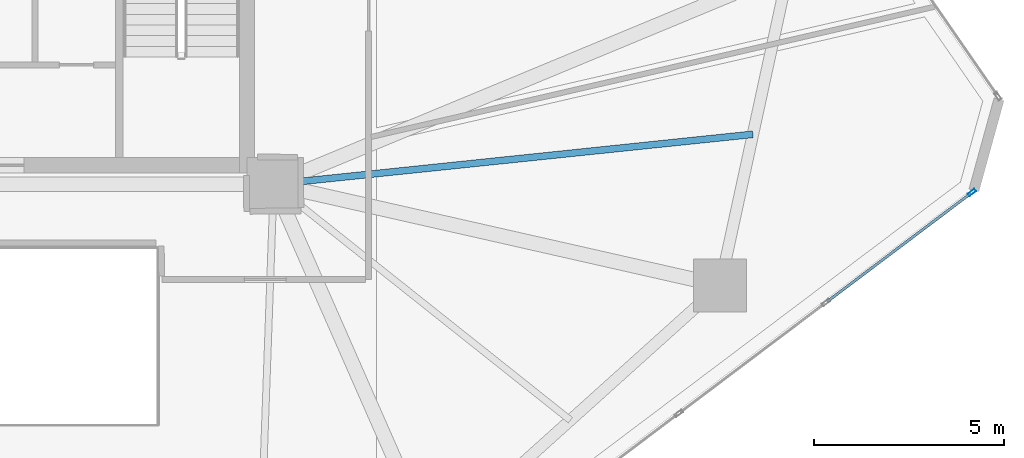
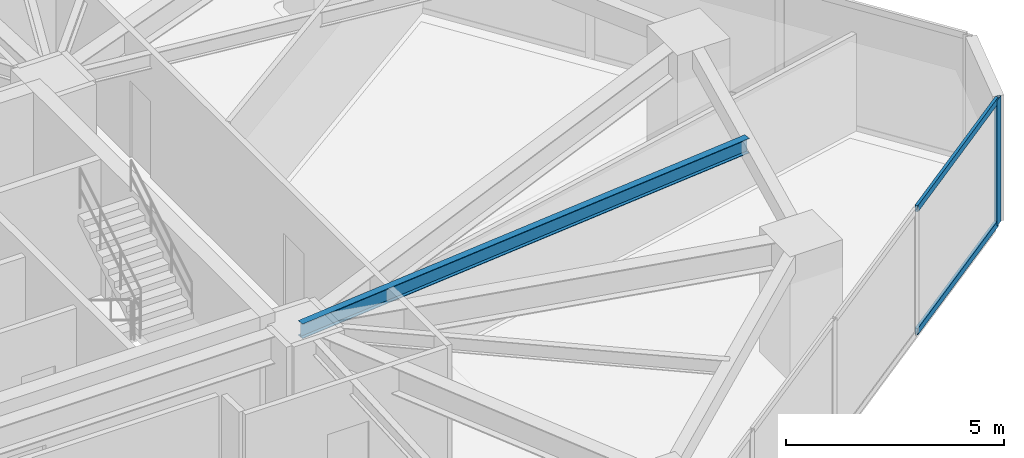
# One storey, part 10 of 23: 3 members, 1 beam, 1 element without a shape of its own.
"""IFC4 building model written with IfcOpenShell, lengths in metres."""

from ifc_helpers import new_model, si_unit, direction, frame, origin, origin_2d, place, context, subcontext, project, spatial, hollow_rectangle, i_section, extrude, source, transform, mapped, material, layer, layer_set, material_profile, profile_set, type_object, type_shapes, element, aggregate, save


model = new_model("IFC4")

# Units and contexts
model_context = context("Model", 3, precision=1e-05, world=origin(), true_north=direction((0.0, 1.0)))
body_context = subcontext(model_context, "Body", "Model", "MODEL_VIEW")
ifc_project = project(units=[si_unit("LENGTHUNIT", "METRE"), si_unit("AREAUNIT", "SQUARE_METRE"), si_unit("VOLUMEUNIT", "CUBIC_METRE"), si_unit("PLANEANGLEUNIT", "RADIAN"), si_unit("MASSUNIT", "GRAM", prefix="KILO")], contexts=[model_context])

# Site, building, storey
site_placement = place(None, origin())
site = spatial("IfcSite", under=ifc_project, at=site_placement, CompositionType="ELEMENT")
building_placement = place(site_placement, origin())
building = spatial("IfcBuilding", under=site, at=building_placement, Name="Talar Marvaseh", CompositionType="ELEMENT")
storey_placement = place(building_placement, frame((0.0, 0.0, 69.60009765625)))
storey = spatial("IfcBuildingStorey", under=building, at=storey_placement, Name="L17", CompositionType="ELEMENT", Elevation=69.60009765625)

# Beam
ifc_material_1 = material(Name="Steel S355", Category="steel")
ifc_material_profile_1 = material_profile(ifc_material_1, i_section(OverallWidth=0.179931640625, OverallDepth=0.4130859375, WebThickness=0.009765625, FlangeThickness=0.01611328125, at=origin_2d()), Name="W410x75")
ifc_profile_set_1 = profile_set([ifc_material_profile_1], Name="Steel S355")
beam_type = type_object("IfcBeamType", Name="Zone 1 Secondary Floor Joist W410x75", PredefinedType="JOIST", material=ifc_profile_set_1)
beam_placement = place(storey_placement, frame((45.906494140625, 26.81396484375, 3.3134765625), z_axis=(-0.994611955975, -0.103668013538, 0.0), x_axis=(0.103668013538, -0.994611955975, 0.0)))
element("IfcBeam", 1, at=beam_placement, inside=storey, type_object=beam_type, Name="L17 Zone 1 Secondary Floor Joist W410x75", PredefinedType="JOIST", context=body_context, shape_type="SweptSolid", body=[
    extrude(i_section(OverallWidth=0.179931640625, OverallDepth=0.4130859375, WebThickness=0.009765625, FlangeThickness=0.01611328125, at=origin_2d()), origin(), (0.0, 0.0, 1.0), 12.6748046875),
])

# Curtain wall, members
ifc_material_2 = material(Name="Architectural Aluminium", Category="aluminium")
ifc_layer = layer(ifc_material_2, 0.219970703125)
ifc_layer_set = layer_set([ifc_layer], Name="Architectural Aluminium")
curtain_wall_type = type_object("IfcCurtainWallType", Name="Unitised Low-E Museum Curtain Wall Z1", PredefinedType="NOTDEFINED", material=ifc_layer_set)
curtain_wall_placement = place(storey_placement, origin())
curtain_wall = element("IfcCurtainWall", 2, at=curtain_wall_placement, inside=storey, type_object=curtain_wall_type, Name="L17 Unitised Low-E Museum Curtain Wall Z1", PredefinedType="NOTDEFINED")
ifc_material_profile_2 = material_profile(ifc_material_2, hollow_rectangle(XDim=0.080078125, YDim=0.219970703125, WallThickness=0.0048828125, at=origin_2d()), Name="RHS220x80x5")
ifc_profile_set_2 = profile_set([ifc_material_profile_2], Name="Architectural Aluminium")
member_type_1 = type_object("IfcMemberType", Name="Unitised Curtain Wall Heavy Mullion RHS220x80x5", PredefinedType="MULLION", material=ifc_profile_set_2)
shared_shape_1 = source(origin(), body_context, "Body", "SweptSolid", [
    extrude(hollow_rectangle(XDim=0.080078125, YDim=0.219970703125, WallThickness=0.0048828125, at=origin_2d()), origin(), (0.0, 0.0, 1.0), 3.52001953125),
])
type_shapes(member_type_1, [shared_shape_1])
member_1_placement = place(storey_placement, frame((51.665771484375, 25.28271484375, 0.0), z_axis=(0.0, 0.0, 1.0), x_axis=(0.601690673103, -0.798729199354, 0.0)))
member_1 = element("IfcMember", 3, at=member_1_placement, type_object=member_type_1, Name="CW-Z1 mullion 1", PredefinedType="MULLION", context=body_context, shape_type="MappedRepresentation", body=[
    mapped(shared_shape_1, transform((0.0, 0.0, 0.0), x_axis=(1.0, 0.0, 0.0), y_axis=(0.0, 1.0, 0.0), z_axis=(0.0, 0.0, 1.0), scale=1.0)),
])
ifc_material_profile_3 = material_profile(ifc_material_2, hollow_rectangle(XDim=0.074951171875, YDim=0.179931640625, WallThickness=0.0048828125, at=origin_2d()), Name="RHS180x75x5")
ifc_profile_set_3 = profile_set([ifc_material_profile_3], Name="Architectural Aluminium")
member_type_2 = type_object("IfcMemberType", Name="Unitised Curtain Wall Transom RHS180x75x5", PredefinedType="USERDEFINED", material=ifc_profile_set_3)
shared_shape_2 = source(origin(), body_context, "Body", "SweptSolid", [
    extrude(hollow_rectangle(XDim=0.074951171875, YDim=0.179931640625, WallThickness=0.0048828125, at=origin_2d()), origin(), (0.0, 0.0, 1.0), 4.725341796875),
])
type_shapes(member_type_2, [shared_shape_2])
member_2_placement = place(storey_placement, frame((51.6337890625, 25.258544921875, 0.037353515625), z_axis=(-0.79871477024, -0.601709826911, 0.0), x_axis=(0.601709826911, -0.79871477024, 0.0)))
member_2 = element("IfcMember", 4, at=member_2_placement, type_object=member_type_2, Name="CW-Z1 transom 1.1", ObjectType="TRANSOM", PredefinedType="USERDEFINED", context=body_context, shape_type="MappedRepresentation", body=[
    mapped(shared_shape_2, transform((0.0, 0.0, 0.0), x_axis=(1.0, 0.0, 0.0), y_axis=(0.0, 1.0, 0.0), z_axis=(0.0, 0.0, 1.0), scale=1.0)),
])
member_3_placement = place(storey_placement, frame((51.6337890625, 25.258544921875, 3.482421875), z_axis=(-0.79871477024, -0.601709826911, 0.0), x_axis=(0.601709826911, -0.79871477024, 0.0)))
member_3 = element("IfcMember", 5, at=member_3_placement, type_object=member_type_2, Name="CW-Z1 transom 1.2", ObjectType="TRANSOM", PredefinedType="USERDEFINED", context=body_context, shape_type="MappedRepresentation", body=[
    mapped(shared_shape_2, transform((0.0, 0.0, 0.0), x_axis=(1.0, 0.0, 0.0), y_axis=(0.0, 1.0, 0.0), z_axis=(0.0, 0.0, 1.0), scale=1.0)),
])
aggregate(curtain_wall, [member_1, member_2, member_3])

save(model, "model.ifc")
